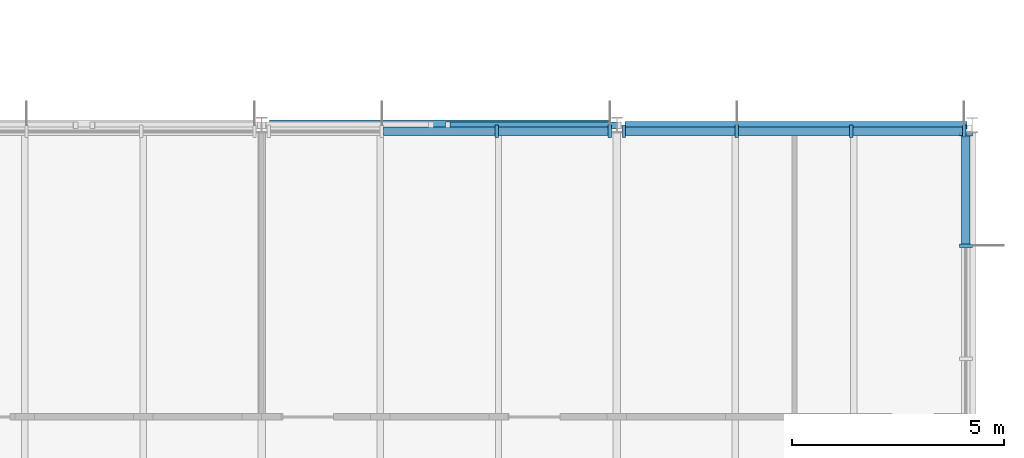
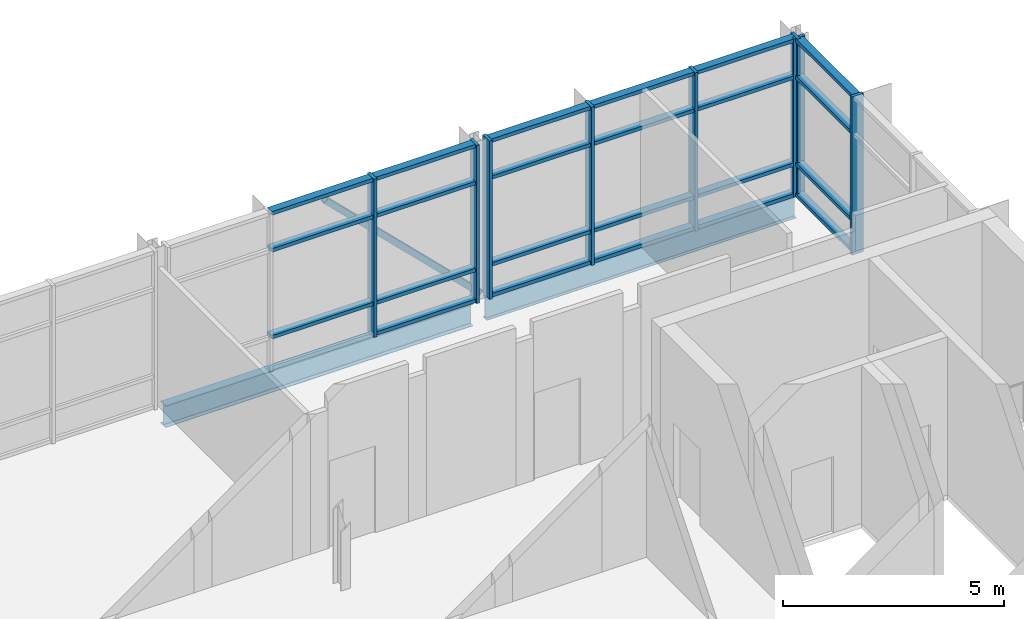
# One storey, part 26 of 76: 32 members, 2 beams, 3 elements without a shape of their own.
"""IFC4 building model written with IfcOpenShell, lengths in metres."""

from ifc_helpers import new_model, si_unit, direction, frame, origin, origin_2d, place, context, subcontext, project, spatial, rectangle, hollow_rectangle, i_section, extrude, material, material_profile, profile_set, type_object, element, aggregate, save


model = new_model("IFC4")

# Units and contexts
model_context = context("Model", 3, precision=1e-05, world=origin(), true_north=direction((0.0, 1.0)))
body_context = subcontext(model_context, "Body", "Model", "MODEL_VIEW")
ifc_project = project(units=[si_unit("LENGTHUNIT", "METRE"), si_unit("AREAUNIT", "SQUARE_METRE"), si_unit("VOLUMEUNIT", "CUBIC_METRE"), si_unit("PLANEANGLEUNIT", "RADIAN"), si_unit("MASSUNIT", "GRAM", prefix="KILO")], contexts=[model_context])

# Site, building, storey
site_placement = place(None, origin())
site = spatial("IfcSite", under=ifc_project, at=site_placement, CompositionType="ELEMENT")
building_placement = place(site_placement, origin())
building = spatial("IfcBuilding", under=site, at=building_placement, Name="Hlaing Beacon Police Headquarters", CompositionType="ELEMENT")
storey_placement = place(building_placement, frame((0.0, 0.0, 18.89990234375)))
storey = spatial("IfcBuildingStorey", under=building, at=storey_placement, Name="L04", CompositionType="ELEMENT", Elevation=18.89990234375)

# Member
ifc_material_1 = material(Name="Steel ASTM A500 Grade C", Category="steel")
ifc_material_profile_1 = material_profile(ifc_material_1, hollow_rectangle(XDim=0.15234375, YDim=0.15234375, WallThickness=0.009521484375, at=origin_2d()), Name="HSS6x6x3/8")
ifc_profile_set_1 = profile_set([ifc_material_profile_1], Name="Steel ASTM A500 Grade C")
member_type_1 = type_object("IfcMemberType", Name="Chevron brace HSS6x6x3/8", PredefinedType="BRACE", material=ifc_profile_set_1)
member_1_placement = place(storey_placement, frame((126.044921875, 92.39990234375, 0.05419921875), z_axis=(-0.713429708771, 0.0, 0.700726801716), x_axis=(0.0, -1.0, 0.0)))
element("IfcMember", 1, at=member_1_placement, inside=storey, type_object=member_type_1, Name="STR-BR-L04-12Qb", PredefinedType="BRACE", context=body_context, shape_type="SweptSolid", body=[
    extrude(hollow_rectangle(XDim=0.15234375, YDim=0.15234375, WallThickness=0.009521484375, at=origin_2d()), origin(), (0.0, 0.0, 1.0), 5.669677734375),
])

# Beams
ifc_material_2 = material(Name="Steel ASTM A992 Grade 50", Category="steel")
ifc_material_profile_2 = material_profile(ifc_material_2, i_section(OverallWidth=0.177978515625, OverallDepth=0.599365234375, WebThickness=0.010009765625, FlangeThickness=0.012939453125, FilletRadius=0.012939453125, at=origin_2d()), Name="W24x55")
ifc_profile_set_2 = profile_set([ifc_material_profile_2], Name="Steel ASTM A992 Grade 50")
beam_type_1 = type_object("IfcBeamType", Name="Girder W24x55", PredefinedType="BEAM", material=ifc_profile_set_2)
beam_1_placement = place(storey_placement, frame((126.18505859375, 92.39990234375, -0.4296875), z_axis=(1.0, 0.0, 0.0), x_axis=(0.0, 1.0, 0.0)))
element("IfcBeam", 2, at=beam_1_placement, inside=storey, type_object=beam_type_1, Name="STR-BM-L04-GX-R12-S12", PredefinedType="BEAM", context=body_context, shape_type="SweptSolid", body=[
    extrude(i_section(OverallWidth=0.177978515625, OverallDepth=0.599365234375, WebThickness=0.010009765625, FlangeThickness=0.012939453125, FilletRadius=0.012939453125, at=origin_2d()), origin(), (0.0, 0.0, 1.0), 8.087890625),
])
ifc_material_3 = material(Name="Steel ASTM A992 Grade 50", Category="steel")
ifc_material_profile_3 = material_profile(ifc_material_3, i_section(OverallWidth=0.227783203125, OverallDepth=0.60205078125, WebThickness=0.010498046875, FlangeThickness=0.014892578125, FilletRadius=0.012939453125, at=origin_2d()), Name="W24x68")
ifc_profile_set_3 = profile_set([ifc_material_profile_3], Name="Steel ASTM A992 Grade 50")
beam_type_2 = type_object("IfcBeamType", Name="Girder W24x68", PredefinedType="BEAM", material=ifc_profile_set_3)
beam_2_placement = place(storey_placement, frame((117.784912109375, 92.39990234375, -0.430908203125), z_axis=(1.0, 0.0, 0.0), x_axis=(0.0, 1.0, 0.0)))
element("IfcBeam", 3, at=beam_2_placement, inside=storey, type_object=beam_type_2, Name="STR-BM-L04-GX-Q12-R12", PredefinedType="BEAM", context=body_context, shape_type="SweptSolid", body=[
    extrude(i_section(OverallWidth=0.227783203125, OverallDepth=0.60205078125, WebThickness=0.010498046875, FlangeThickness=0.014892578125, FilletRadius=0.012939453125, at=origin_2d()), origin(), (0.0, 0.0, 1.0), 8.030029296875),
])

# Curtain wall, members
ifc_material_4 = material(Name="Aluminium frame with solar control glazing", Category="aluminium")
curtain_wall_type_1 = type_object("IfcCurtainWallType", Name="Structural glazed gable wall 8.02 x 4.37", PredefinedType="NOTDEFINED", material=ifc_material_4)
curtain_wall_1_placement = place(storey_placement, origin())
curtain_wall_1 = element("IfcCurtainWall", 4, at=curtain_wall_1_placement, inside=storey, type_object=curtain_wall_type_1, Name="ENV-CW-L04-E010", PredefinedType="NOTDEFINED")
ifc_material_5 = material(Name="Aluminium", Category="aluminium")
ifc_material_profile_4 = material_profile(ifc_material_5, rectangle(XDim=0.300048828125, YDim=0.080078125, at=origin_2d()), Name="Mullion 80x300")
ifc_profile_set_4 = profile_set([ifc_material_profile_4], Name="Aluminium")
member_type_2 = type_object("IfcMemberType", Name="Mullion 80x300", PredefinedType="MULLION", material=ifc_profile_set_4)
member_2_placement = place(storey_placement, frame((134.25, 89.549072265625, 0.0), z_axis=(0.0, 0.0, 1.0), x_axis=(-1.0, 0.0, 0.0)))
member_2 = element("IfcMember", 5, at=member_2_placement, type_object=member_type_2, Name="CW-L04-E010 mullion 3", PredefinedType="MULLION", context=body_context, shape_type="SweptSolid", body=[
    extrude(rectangle(XDim=0.300048828125, YDim=0.080078125, at=origin_2d()), origin(), (0.0, 0.0, 1.0), 4.3701171875),
])
member_3_placement = place(storey_placement, frame((134.25, 92.18359375, 0.0), z_axis=(0.0, 0.0, 1.0), x_axis=(-1.0, 0.0, 0.0)))
member_3 = element("IfcMember", 6, at=member_3_placement, type_object=member_type_2, Name="CW-L04-E010 mullion 4", PredefinedType="MULLION", context=body_context, shape_type="SweptSolid", body=[
    extrude(rectangle(XDim=0.300048828125, YDim=0.080078125, at=origin_2d()), origin(), (0.0, 0.0, 1.0), 4.3701171875),
])

ifc_material_6 = material(Name="Aluminium frame with solar control glazing", Category="aluminium")
curtain_wall_type_2 = type_object("IfcCurtainWallType", Name="Structural glazed gable wall 8.12 x 4.37", PredefinedType="NOTDEFINED", material=ifc_material_6)
curtain_wall_2_placement = place(storey_placement, origin())
curtain_wall_2 = element("IfcCurtainWall", 7, at=curtain_wall_2_placement, inside=storey, type_object=curtain_wall_type_2, Name="ENV-CW-L04-N011", PredefinedType="NOTDEFINED")
member_4_placement = place(storey_placement, frame((134.2099609375, 92.25, 0.0), z_axis=(0.0, 0.0, 1.0), x_axis=(0.0, -1.0, 0.0)))
member_4 = element("IfcMember", 8, at=member_4_placement, type_object=member_type_2, Name="CW-L04-N011 mullion 1", PredefinedType="MULLION", context=body_context, shape_type="SweptSolid", body=[
    extrude(rectangle(XDim=0.300048828125, YDim=0.080078125, at=origin_2d()), origin(), (0.0, 0.0, 1.0), 4.3701171875),
])
member_5_placement = place(storey_placement, frame((131.542724609375, 92.25, 0.0), z_axis=(0.0, 0.0, 1.0), x_axis=(0.0, -1.0, 0.0)))
member_5 = element("IfcMember", 9, at=member_5_placement, type_object=member_type_2, Name="CW-L04-N011 mullion 2", PredefinedType="MULLION", context=body_context, shape_type="SweptSolid", body=[
    extrude(rectangle(XDim=0.300048828125, YDim=0.080078125, at=origin_2d()), origin(), (0.0, 0.0, 1.0), 4.3701171875),
])
member_6_placement = place(storey_placement, frame((128.83544921875, 92.25, 0.0), z_axis=(0.0, 0.0, 1.0), x_axis=(0.0, -1.0, 0.0)))
member_6 = element("IfcMember", 10, at=member_6_placement, type_object=member_type_2, Name="CW-L04-N011 mullion 3", PredefinedType="MULLION", context=body_context, shape_type="SweptSolid", body=[
    extrude(rectangle(XDim=0.300048828125, YDim=0.080078125, at=origin_2d()), origin(), (0.0, 0.0, 1.0), 4.3701171875),
])
member_7_placement = place(storey_placement, frame((126.168212890625, 92.25, 0.0), z_axis=(0.0, 0.0, 1.0), x_axis=(0.0, -1.0, 0.0)))
member_7 = element("IfcMember", 11, at=member_7_placement, type_object=member_type_2, Name="CW-L04-N011 mullion 4", PredefinedType="MULLION", context=body_context, shape_type="SweptSolid", body=[
    extrude(rectangle(XDim=0.300048828125, YDim=0.080078125, at=origin_2d()), origin(), (0.0, 0.0, 1.0), 4.3701171875),
])

ifc_material_7 = material(Name="Aluminium frame with solar control glazing", Category="aluminium")
curtain_wall_type_3 = type_object("IfcCurtainWallType", Name="Structural glazed gable wall 8.14 x 4.37", PredefinedType="NOTDEFINED", material=ifc_material_7)
curtain_wall_3_placement = place(storey_placement, origin())
curtain_wall_3 = element("IfcCurtainWall", 12, at=curtain_wall_3_placement, inside=storey, type_object=curtain_wall_type_3, Name="ENV-CW-L04-N012", PredefinedType="NOTDEFINED")
member_8_placement = place(storey_placement, frame((125.831787109375, 92.25, 0.0), z_axis=(0.0, 0.0, 1.0), x_axis=(0.0, -1.0, 0.0)))
member_8 = element("IfcMember", 13, at=member_8_placement, type_object=member_type_2, Name="CW-L04-N012 mullion 1", PredefinedType="MULLION", context=body_context, shape_type="SweptSolid", body=[
    extrude(rectangle(XDim=0.300048828125, YDim=0.080078125, at=origin_2d()), origin(), (0.0, 0.0, 1.0), 4.3701171875),
])
member_9_placement = place(storey_placement, frame((123.1572265625, 92.25, 0.0), z_axis=(0.0, 0.0, 1.0), x_axis=(0.0, -1.0, 0.0)))
member_9 = element("IfcMember", 14, at=member_9_placement, type_object=member_type_2, Name="CW-L04-N012 mullion 2", PredefinedType="MULLION", context=body_context, shape_type="SweptSolid", body=[
    extrude(rectangle(XDim=0.300048828125, YDim=0.080078125, at=origin_2d()), origin(), (0.0, 0.0, 1.0), 4.3701171875),
])

# Member
ifc_material_8 = material(Name="Aluminium", Category="aluminium")
ifc_material_profile_5 = material_profile(ifc_material_8, rectangle(XDim=0.199951171875, YDim=0.10009765625, at=origin_2d()), Name="Transom 200x100")
ifc_profile_set_5 = profile_set([ifc_material_profile_5], Name="Aluminium")
member_type_3 = type_object("IfcMemberType", Name="Transom 200x100", PredefinedType="USERDEFINED", material=ifc_profile_set_5)
member_10_placement = place(storey_placement, frame((134.25, 89.589111328125, 0.050048828125), z_axis=(0.0, 1.0, 0.0), x_axis=(-1.0, 0.0, 0.0)))
member_10 = element("IfcMember", 15, at=member_10_placement, type_object=member_type_3, Name="CW-L04-E010 transom 3.1", ObjectType="TRANSOM", PredefinedType="USERDEFINED", context=body_context, shape_type="SweptSolid", body=[
    extrude(rectangle(XDim=0.199951171875, YDim=0.10009765625, at=origin_2d()), origin(), (0.0, 0.0, 1.0), 2.554443359375),
])

member_11_placement = place(storey_placement, frame((134.25, 89.589111328125, 0.900146484375), z_axis=(0.0, 1.0, 0.0), x_axis=(-1.0, 0.0, 0.0)))
member_11 = element("IfcMember", 16, at=member_11_placement, type_object=member_type_3, Name="CW-L04-E010 transom 3.2", ObjectType="TRANSOM", PredefinedType="USERDEFINED", context=body_context, shape_type="SweptSolid", body=[
    extrude(rectangle(XDim=0.199951171875, YDim=0.10009765625, at=origin_2d()), origin(), (0.0, 0.0, 1.0), 2.554443359375),
])

member_12_placement = place(storey_placement, frame((134.25, 89.589111328125, 3.300048828125), z_axis=(0.0, 1.0, 0.0), x_axis=(-1.0, 0.0, 0.0)))
member_12 = element("IfcMember", 17, at=member_12_placement, type_object=member_type_3, Name="CW-L04-E010 transom 3.3", ObjectType="TRANSOM", PredefinedType="USERDEFINED", context=body_context, shape_type="SweptSolid", body=[
    extrude(rectangle(XDim=0.199951171875, YDim=0.10009765625, at=origin_2d()), origin(), (0.0, 0.0, 1.0), 2.554443359375),
])

member_13_placement = place(storey_placement, frame((134.25, 89.589111328125, 4.320068359375), z_axis=(0.0, 1.0, 0.0), x_axis=(-1.0, 0.0, 0.0)))
member_13 = element("IfcMember", 18, at=member_13_placement, type_object=member_type_3, Name="CW-L04-E010 transom 3.4", ObjectType="TRANSOM", PredefinedType="USERDEFINED", context=body_context, shape_type="SweptSolid", body=[
    extrude(rectangle(XDim=0.199951171875, YDim=0.10009765625, at=origin_2d()), origin(), (0.0, 0.0, 1.0), 2.554443359375),
])

aggregate(curtain_wall_1, [member_2, member_3, member_10, member_11, member_12, member_13])

member_14_placement = place(storey_placement, frame((134.169921875, 92.25, 0.050048828125), z_axis=(-1.0, 0.0, 0.0), x_axis=(0.0, -1.0, 0.0)))
member_14 = element("IfcMember", 19, at=member_14_placement, type_object=member_type_3, Name="CW-L04-N011 transom 1.1", ObjectType="TRANSOM", PredefinedType="USERDEFINED", context=body_context, shape_type="SweptSolid", body=[
    extrude(rectangle(XDim=0.199951171875, YDim=0.10009765625, at=origin_2d()), origin(), (0.0, 0.0, 1.0), 2.587158203125),
])

member_15_placement = place(storey_placement, frame((134.169921875, 92.25, 0.900146484375), z_axis=(-1.0, 0.0, 0.0), x_axis=(0.0, -1.0, 0.0)))
member_15 = element("IfcMember", 20, at=member_15_placement, type_object=member_type_3, Name="CW-L04-N011 transom 1.2", ObjectType="TRANSOM", PredefinedType="USERDEFINED", context=body_context, shape_type="SweptSolid", body=[
    extrude(rectangle(XDim=0.199951171875, YDim=0.10009765625, at=origin_2d()), origin(), (0.0, 0.0, 1.0), 2.587158203125),
])

member_16_placement = place(storey_placement, frame((134.169921875, 92.25, 3.300048828125), z_axis=(-1.0, 0.0, 0.0), x_axis=(0.0, -1.0, 0.0)))
member_16 = element("IfcMember", 21, at=member_16_placement, type_object=member_type_3, Name="CW-L04-N011 transom 1.3", ObjectType="TRANSOM", PredefinedType="USERDEFINED", context=body_context, shape_type="SweptSolid", body=[
    extrude(rectangle(XDim=0.199951171875, YDim=0.10009765625, at=origin_2d()), origin(), (0.0, 0.0, 1.0), 2.587158203125),
])

member_17_placement = place(storey_placement, frame((134.169921875, 92.25, 4.320068359375), z_axis=(-1.0, 0.0, 0.0), x_axis=(0.0, -1.0, 0.0)))
member_17 = element("IfcMember", 22, at=member_17_placement, type_object=member_type_3, Name="CW-L04-N011 transom 1.4", ObjectType="TRANSOM", PredefinedType="USERDEFINED", context=body_context, shape_type="SweptSolid", body=[
    extrude(rectangle(XDim=0.199951171875, YDim=0.10009765625, at=origin_2d()), origin(), (0.0, 0.0, 1.0), 2.587158203125),
])

member_18_placement = place(storey_placement, frame((131.502685546875, 92.25, 0.050048828125), z_axis=(-1.0, 0.0, 0.0), x_axis=(0.0, -1.0, 0.0)))
member_18 = element("IfcMember", 23, at=member_18_placement, type_object=member_type_3, Name="CW-L04-N011 transom 2.1", ObjectType="TRANSOM", PredefinedType="USERDEFINED", context=body_context, shape_type="SweptSolid", body=[
    extrude(rectangle(XDim=0.199951171875, YDim=0.10009765625, at=origin_2d()), origin(), (0.0, 0.0, 1.0), 2.627197265625),
])

member_19_placement = place(storey_placement, frame((131.502685546875, 92.25, 0.900146484375), z_axis=(-1.0, 0.0, 0.0), x_axis=(0.0, -1.0, 0.0)))
member_19 = element("IfcMember", 24, at=member_19_placement, type_object=member_type_3, Name="CW-L04-N011 transom 2.2", ObjectType="TRANSOM", PredefinedType="USERDEFINED", context=body_context, shape_type="SweptSolid", body=[
    extrude(rectangle(XDim=0.199951171875, YDim=0.10009765625, at=origin_2d()), origin(), (0.0, 0.0, 1.0), 2.627197265625),
])

member_20_placement = place(storey_placement, frame((131.502685546875, 92.25, 3.300048828125), z_axis=(-1.0, 0.0, 0.0), x_axis=(0.0, -1.0, 0.0)))
member_20 = element("IfcMember", 25, at=member_20_placement, type_object=member_type_3, Name="CW-L04-N011 transom 2.3", ObjectType="TRANSOM", PredefinedType="USERDEFINED", context=body_context, shape_type="SweptSolid", body=[
    extrude(rectangle(XDim=0.199951171875, YDim=0.10009765625, at=origin_2d()), origin(), (0.0, 0.0, 1.0), 2.627197265625),
])

member_21_placement = place(storey_placement, frame((131.502685546875, 92.25, 4.320068359375), z_axis=(-1.0, 0.0, 0.0), x_axis=(0.0, -1.0, 0.0)))
member_21 = element("IfcMember", 26, at=member_21_placement, type_object=member_type_3, Name="CW-L04-N011 transom 2.4", ObjectType="TRANSOM", PredefinedType="USERDEFINED", context=body_context, shape_type="SweptSolid", body=[
    extrude(rectangle(XDim=0.199951171875, YDim=0.10009765625, at=origin_2d()), origin(), (0.0, 0.0, 1.0), 2.627197265625),
])

member_22_placement = place(storey_placement, frame((128.795654296875, 92.25, 0.050048828125), z_axis=(-1.0, 0.0, 0.0), x_axis=(0.0, -1.0, 0.0)))
member_22 = element("IfcMember", 27, at=member_22_placement, type_object=member_type_3, Name="CW-L04-N011 transom 3.1", ObjectType="TRANSOM", PredefinedType="USERDEFINED", context=body_context, shape_type="SweptSolid", body=[
    extrude(rectangle(XDim=0.199951171875, YDim=0.10009765625, at=origin_2d()), origin(), (0.0, 0.0, 1.0), 2.58740234375),
])

member_23_placement = place(storey_placement, frame((128.795654296875, 92.25, 0.900146484375), z_axis=(-1.0, 0.0, 0.0), x_axis=(0.0, -1.0, 0.0)))
member_23 = element("IfcMember", 28, at=member_23_placement, type_object=member_type_3, Name="CW-L04-N011 transom 3.2", ObjectType="TRANSOM", PredefinedType="USERDEFINED", context=body_context, shape_type="SweptSolid", body=[
    extrude(rectangle(XDim=0.199951171875, YDim=0.10009765625, at=origin_2d()), origin(), (0.0, 0.0, 1.0), 2.58740234375),
])

member_24_placement = place(storey_placement, frame((128.795654296875, 92.25, 3.300048828125), z_axis=(-1.0, 0.0, 0.0), x_axis=(0.0, -1.0, 0.0)))
member_24 = element("IfcMember", 29, at=member_24_placement, type_object=member_type_3, Name="CW-L04-N011 transom 3.3", ObjectType="TRANSOM", PredefinedType="USERDEFINED", context=body_context, shape_type="SweptSolid", body=[
    extrude(rectangle(XDim=0.199951171875, YDim=0.10009765625, at=origin_2d()), origin(), (0.0, 0.0, 1.0), 2.58740234375),
])

member_25_placement = place(storey_placement, frame((128.795654296875, 92.25, 4.320068359375), z_axis=(-1.0, 0.0, 0.0), x_axis=(0.0, -1.0, 0.0)))
member_25 = element("IfcMember", 30, at=member_25_placement, type_object=member_type_3, Name="CW-L04-N011 transom 3.4", ObjectType="TRANSOM", PredefinedType="USERDEFINED", context=body_context, shape_type="SweptSolid", body=[
    extrude(rectangle(XDim=0.199951171875, YDim=0.10009765625, at=origin_2d()), origin(), (0.0, 0.0, 1.0), 2.58740234375),
])

aggregate(curtain_wall_2, [member_4, member_5, member_6, member_7, member_14, member_15, member_16, member_17, member_18, member_19, member_20, member_21, member_22, member_23, member_24, member_25])

member_26_placement = place(storey_placement, frame((125.791748046875, 92.25, 0.050048828125), z_axis=(-1.0, 0.0, 0.0), x_axis=(0.0, -1.0, 0.0)))
member_26 = element("IfcMember", 31, at=member_26_placement, type_object=member_type_3, Name="CW-L04-N012 transom 1.1", ObjectType="TRANSOM", PredefinedType="USERDEFINED", context=body_context, shape_type="SweptSolid", body=[
    extrude(rectangle(XDim=0.199951171875, YDim=0.10009765625, at=origin_2d()), origin(), (0.0, 0.0, 1.0), 2.594482421875),
])

member_27_placement = place(storey_placement, frame((125.791748046875, 92.25, 0.900146484375), z_axis=(-1.0, 0.0, 0.0), x_axis=(0.0, -1.0, 0.0)))
member_27 = element("IfcMember", 32, at=member_27_placement, type_object=member_type_3, Name="CW-L04-N012 transom 1.2", ObjectType="TRANSOM", PredefinedType="USERDEFINED", context=body_context, shape_type="SweptSolid", body=[
    extrude(rectangle(XDim=0.199951171875, YDim=0.10009765625, at=origin_2d()), origin(), (0.0, 0.0, 1.0), 2.594482421875),
])

member_28_placement = place(storey_placement, frame((125.791748046875, 92.25, 3.300048828125), z_axis=(-1.0, 0.0, 0.0), x_axis=(0.0, -1.0, 0.0)))
member_28 = element("IfcMember", 33, at=member_28_placement, type_object=member_type_3, Name="CW-L04-N012 transom 1.3", ObjectType="TRANSOM", PredefinedType="USERDEFINED", context=body_context, shape_type="SweptSolid", body=[
    extrude(rectangle(XDim=0.199951171875, YDim=0.10009765625, at=origin_2d()), origin(), (0.0, 0.0, 1.0), 2.594482421875),
])

member_29_placement = place(storey_placement, frame((125.791748046875, 92.25, 4.320068359375), z_axis=(-1.0, 0.0, 0.0), x_axis=(0.0, -1.0, 0.0)))
member_29 = element("IfcMember", 34, at=member_29_placement, type_object=member_type_3, Name="CW-L04-N012 transom 1.4", ObjectType="TRANSOM", PredefinedType="USERDEFINED", context=body_context, shape_type="SweptSolid", body=[
    extrude(rectangle(XDim=0.199951171875, YDim=0.10009765625, at=origin_2d()), origin(), (0.0, 0.0, 1.0), 2.594482421875),
])

member_30_placement = place(storey_placement, frame((123.1171875, 92.25, 0.900146484375), z_axis=(-1.0, 0.0, 0.0), x_axis=(0.0, -1.0, 0.0)))
member_30 = element("IfcMember", 35, at=member_30_placement, type_object=member_type_3, Name="CW-L04-N012 transom 2.2", ObjectType="TRANSOM", PredefinedType="USERDEFINED", context=body_context, shape_type="SweptSolid", body=[
    extrude(rectangle(XDim=0.199951171875, YDim=0.10009765625, at=origin_2d()), origin(), (0.0, 0.0, 1.0), 2.634521484375),
])

member_31_placement = place(storey_placement, frame((123.1171875, 92.25, 3.300048828125), z_axis=(-1.0, 0.0, 0.0), x_axis=(0.0, -1.0, 0.0)))
member_31 = element("IfcMember", 36, at=member_31_placement, type_object=member_type_3, Name="CW-L04-N012 transom 2.3", ObjectType="TRANSOM", PredefinedType="USERDEFINED", context=body_context, shape_type="SweptSolid", body=[
    extrude(rectangle(XDim=0.199951171875, YDim=0.10009765625, at=origin_2d()), origin(), (0.0, 0.0, 1.0), 2.634521484375),
])

member_32_placement = place(storey_placement, frame((123.1171875, 92.25, 4.320068359375), z_axis=(-1.0, 0.0, 0.0), x_axis=(0.0, -1.0, 0.0)))
member_32 = element("IfcMember", 37, at=member_32_placement, type_object=member_type_3, Name="CW-L04-N012 transom 2.4", ObjectType="TRANSOM", PredefinedType="USERDEFINED", context=body_context, shape_type="SweptSolid", body=[
    extrude(rectangle(XDim=0.199951171875, YDim=0.10009765625, at=origin_2d()), origin(), (0.0, 0.0, 1.0), 2.634521484375),
])

aggregate(curtain_wall_3, [member_8, member_9, member_26, member_27, member_28, member_29, member_30, member_31, member_32])

save(model, "model.ifc")
